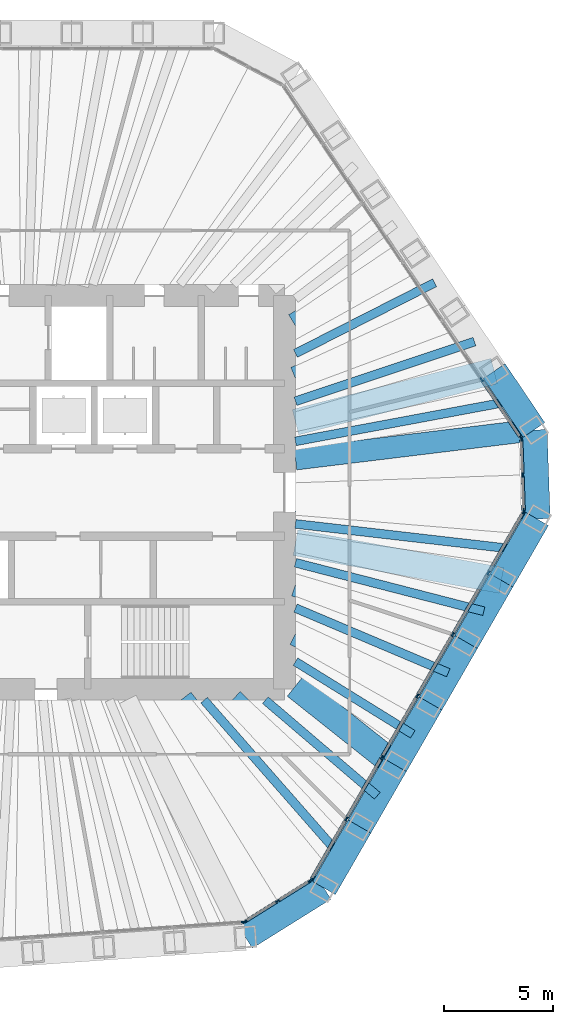
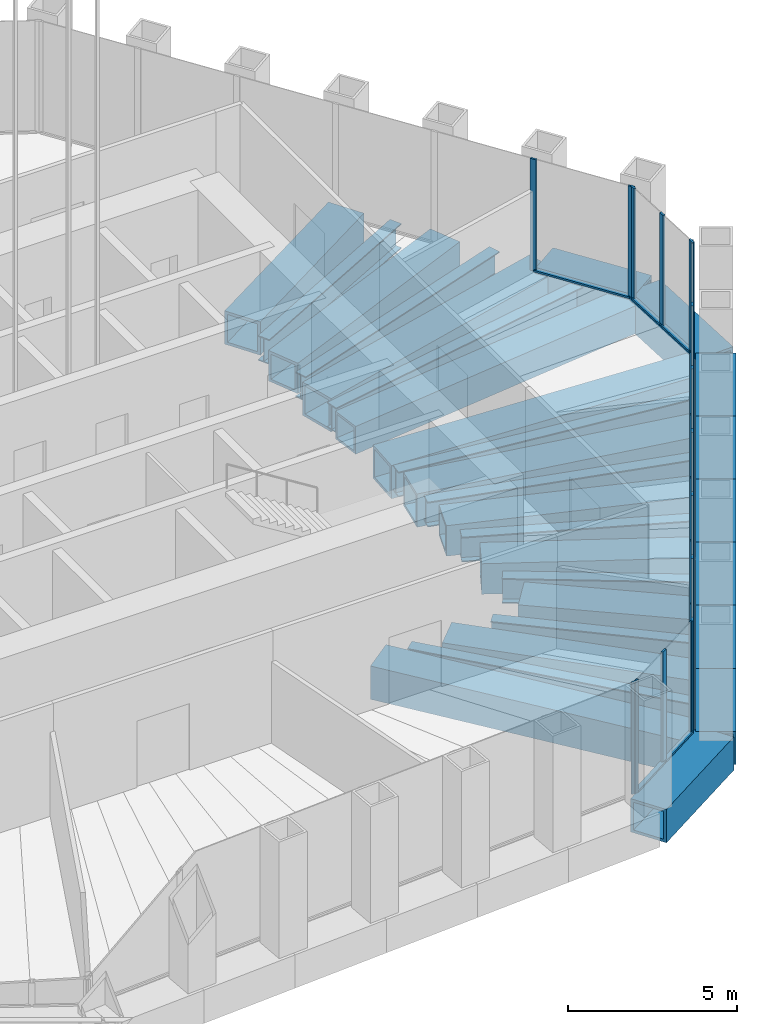
# One storey, part 5 of 19: 36 members, 20 beams, 5 elements without a shape of their own.
"""IFC4 building model written with IfcOpenShell, lengths in metres."""

from ifc_helpers import new_model, si_unit, direction, frame, origin, origin_2d, place, context, subcontext, project, spatial, rectangle, hollow_rectangle, i_section, extrude, material, material_profile, profile_set, type_object, element, aggregate, save


model = new_model("IFC4")

# Units and contexts
model_context = context("Model", 3, precision=1e-05, world=origin(), true_north=direction((0.0, 1.0)))
body_context = subcontext(model_context, "Body", "Model", "MODEL_VIEW")
ifc_project = project(units=[si_unit("LENGTHUNIT", "METRE"), si_unit("AREAUNIT", "SQUARE_METRE"), si_unit("VOLUMEUNIT", "CUBIC_METRE"), si_unit("PLANEANGLEUNIT", "RADIAN"), si_unit("MASSUNIT", "GRAM", prefix="KILO")], contexts=[model_context])

# Site, building, storey
site_placement = place(None, origin())
site = spatial("IfcSite", under=ifc_project, at=site_placement, CompositionType="ELEMENT")
building_placement = place(site_placement, origin())
building = spatial("IfcBuilding", under=site, at=building_placement, Name="Qingtian Harvest Tower", CompositionType="ELEMENT")
storey_placement = place(building_placement, frame((0.0, 0.0, 262.0)))
storey = spatial("IfcBuildingStorey", under=building, at=storey_placement, Name="L57", CompositionType="ELEMENT", Elevation=262.0)

# Members
ifc_material_1 = material(Name="Steel SM570MC", Category="steel")
ifc_material_profile_1 = material_profile(ifc_material_1, hollow_rectangle(XDim=1.199951171875, YDim=1.199951171875, WallThickness=0.10009765625, at=origin_2d()), Name="BOX1200x1200x100")
ifc_profile_set_1 = profile_set([ifc_material_profile_1], Name="Steel SM570MC")
member_type_1 = type_object("IfcMemberType", Name="Belt truss chord BC3 BOX1200x1200x100", PredefinedType="CHORD", material=ifc_profile_set_1)
member_1_placement = place(storey_placement, frame((21.58935546875, 5.546630859375, -0.60009765625), z_axis=(0.559184924833, -0.829042954158, 0.0), x_axis=(0.829042954158, 0.559184924833, 0.0)))
element("IfcMember", 1, at=member_1_placement, inside=storey, type_object=member_type_1, Name="Belt chord BC3 NE5", PredefinedType="CHORD", context=body_context, shape_type="SweptSolid", body=[
    extrude(hollow_rectangle(XDim=1.199951171875, YDim=1.199951171875, WallThickness=0.10009765625, at=origin_2d()), origin(), (0.0, 0.0, 1.0), 3.247802734375),
])
member_2_placement = place(storey_placement, frame((23.405517578125, 2.85400390625, -0.60009765625), z_axis=(0.034904306503, -0.999390659046, 0.0), x_axis=(0.999390659046, 0.034904306503, 0.0)))
element("IfcMember", 2, at=member_2_placement, inside=storey, type_object=member_type_1, Name="Belt chord BC3 NEC", PredefinedType="CHORD", context=body_context, shape_type="SweptSolid", body=[
    extrude(hollow_rectangle(XDim=1.199951171875, YDim=1.199951171875, WallThickness=0.10009765625, at=origin_2d()), origin(), (0.0, 0.0, 1.0), 4.07080078125),
])
member_3_placement = place(storey_placement, frame((23.547607421875, -1.21435546875, -0.60009765625), z_axis=(-0.500019593356, -0.866014091259, 0.0), x_axis=(0.866014091259, -0.500019593356, 0.0)))
element("IfcMember", 3, at=member_3_placement, inside=storey, type_object=member_type_1, Name="Belt chord BC3 SE0", PredefinedType="CHORD", context=body_context, shape_type="SweptSolid", body=[
    extrude(hollow_rectangle(XDim=1.199951171875, YDim=1.199951171875, WallThickness=0.10009765625, at=origin_2d()), origin(), (0.0, 0.0, 1.0), 3.247802734375),
])
member_4_placement = place(storey_placement, frame((21.923583984375, -4.027099609375, -0.60009765625), z_axis=(-0.499987045439, -0.866032882975, 0.0), x_axis=(0.866032882975, -0.499987045439, 0.0)))
element("IfcMember", 4, at=member_4_placement, inside=storey, type_object=member_type_1, Name="Belt chord BC3 SE1", PredefinedType="CHORD", context=body_context, shape_type="SweptSolid", body=[
    extrude(hollow_rectangle(XDim=1.199951171875, YDim=1.199951171875, WallThickness=0.10009765625, at=origin_2d()), origin(), (0.0, 0.0, 1.0), 3.248046875),
])
member_5_placement = place(storey_placement, frame((20.299560546875, -6.840087890625, -0.60009765625), z_axis=(-0.500019593356, -0.866014091259, 0.0), x_axis=(0.866014091259, -0.500019593356, 0.0)))
element("IfcMember", 5, at=member_5_placement, inside=storey, type_object=member_type_1, Name="Belt chord BC3 SE2", PredefinedType="CHORD", context=body_context, shape_type="SweptSolid", body=[
    extrude(hollow_rectangle(XDim=1.199951171875, YDim=1.199951171875, WallThickness=0.10009765625, at=origin_2d()), origin(), (0.0, 0.0, 1.0), 3.247802734375),
])
member_6_placement = place(storey_placement, frame((18.675537109375, -9.65283203125, -0.60009765625), z_axis=(-0.499987045439, -0.866032882975, 0.0), x_axis=(0.866032882975, -0.499987045439, 0.0)))
element("IfcMember", 6, at=member_6_placement, inside=storey, type_object=member_type_1, Name="Belt chord BC3 SE3", PredefinedType="CHORD", context=body_context, shape_type="SweptSolid", body=[
    extrude(hollow_rectangle(XDim=1.199951171875, YDim=1.199951171875, WallThickness=0.10009765625, at=origin_2d()), origin(), (0.0, 0.0, 1.0), 3.248046875),
])
member_7_placement = place(storey_placement, frame((17.051513671875, -12.4658203125, -0.60009765625), z_axis=(-0.500019593356, -0.866014091259, 0.0), x_axis=(0.866014091259, -0.500019593356, 0.0)))
element("IfcMember", 7, at=member_7_placement, inside=storey, type_object=member_type_1, Name="Belt chord BC3 SE4", PredefinedType="CHORD", context=body_context, shape_type="SweptSolid", body=[
    extrude(hollow_rectangle(XDim=1.199951171875, YDim=1.199951171875, WallThickness=0.10009765625, at=origin_2d()), origin(), (0.0, 0.0, 1.0), 3.247802734375),
])
member_8_placement = place(storey_placement, frame((15.427490234375, -15.278564453125, -0.60009765625), z_axis=(-0.499987045439, -0.866032882975, 0.0), x_axis=(0.866032882975, -0.499987045439, 0.0)))
element("IfcMember", 8, at=member_8_placement, inside=storey, type_object=member_type_1, Name="Belt chord BC3 SE5", PredefinedType="CHORD", context=body_context, shape_type="SweptSolid", body=[
    extrude(hollow_rectangle(XDim=1.199951171875, YDim=1.199951171875, WallThickness=0.10009765625, at=origin_2d()), origin(), (0.0, 0.0, 1.0), 3.248046875),
])
member_9_placement = place(storey_placement, frame((13.803466796875, -18.091552734375, -0.60009765625), z_axis=(-0.848040374245, -0.529931621675, 0.0), x_axis=(0.529931621675, -0.848040374245, 0.0)))
element("IfcMember", 9, at=member_9_placement, inside=storey, type_object=member_type_1, Name="Belt chord BC3 SEC", PredefinedType="CHORD", context=body_context, shape_type="SweptSolid", body=[
    extrude(hollow_rectangle(XDim=1.199951171875, YDim=1.199951171875, WallThickness=0.10009765625, at=origin_2d()), origin(), (0.0, 0.0, 1.0), 4.238037109375),
])

# Beams
ifc_material_2 = material(Name="Steel SN490B", Category="steel")
ifc_material_profile_2 = material_profile(ifc_material_2, i_section(OverallWidth=0.39990234375, OverallDepth=0.89990234375, WebThickness=0.01904296875, FlangeThickness=0.035888671875, at=origin_2d()), Name="H900x400x19x36")
ifc_profile_set_2 = profile_set([ifc_material_profile_2], Name="Steel SN490B")
beam_type_1 = type_object("IfcBeamType", Name="Floor joist J4 H900x400x19x36", PredefinedType="JOIST", material=ifc_profile_set_2)
beam_1_placement = place(storey_placement, frame((18.864990234375, 9.585693359375, -0.6201171875), z_axis=(-0.891515522375, -0.452990147094, 0.0), x_axis=(0.452990147094, -0.891515522375, 0.0)))
element("IfcBeam", 10, at=beam_1_placement, inside=storey, type_object=beam_type_1, Name="Floor joist J4 NE3", PredefinedType="JOIST", context=body_context, shape_type="SweptSolid", body=[
    extrude(i_section(OverallWidth=0.39990234375, OverallDepth=0.89990234375, WebThickness=0.01904296875, FlangeThickness=0.035888671875, at=origin_2d()), origin(), (0.0, 0.0, 1.0), 7.139404296875),
])
beam_2_placement = place(storey_placement, frame((20.68115234375, 6.89306640625, -0.6201171875), z_axis=(-0.94869179092, -0.316202286267, 0.0), x_axis=(0.316202286267, -0.94869179092, 0.0)))
element("IfcBeam", 11, at=beam_2_placement, inside=storey, type_object=beam_type_1, Name="Floor joist J4 NE4", PredefinedType="JOIST", context=body_context, shape_type="SweptSolid", body=[
    extrude(i_section(OverallWidth=0.39990234375, OverallDepth=0.89990234375, WebThickness=0.01904296875, FlangeThickness=0.035888671875, at=origin_2d()), origin(), (0.0, 0.0, 1.0), 8.62353515625),
])
beam_3_placement = place(storey_placement, frame((22.49755859375, 4.2001953125, -0.6201171875), z_axis=(-0.983015918388, -0.183520310038, 0.0), x_axis=(0.183520310038, -0.983015918388, 0.0)))
element("IfcBeam", 12, at=beam_3_placement, inside=storey, type_object=beam_type_1, Name="Floor joist J4 NE5", PredefinedType="JOIST", context=body_context, shape_type="SweptSolid", body=[
    extrude(i_section(OverallWidth=0.39990234375, OverallDepth=0.89990234375, WebThickness=0.01904296875, FlangeThickness=0.035888671875, at=origin_2d()), origin(), (0.0, 0.0, 1.0), 10.17041015625),
])
beam_4_placement = place(storey_placement, frame((22.735595703125, -2.62060546875, -0.6201171875), z_axis=(-0.993423767351, 0.114495495381, 0.0), x_axis=(-0.114495495381, -0.993423767351, 0.0)))
element("IfcBeam", 13, at=beam_4_placement, inside=storey, type_object=beam_type_1, Name="Floor joist J4 SE0", PredefinedType="JOIST", context=body_context, shape_type="SweptSolid", body=[
    extrude(i_section(OverallWidth=0.39990234375, OverallDepth=0.89990234375, WebThickness=0.01904296875, FlangeThickness=0.035888671875, at=origin_2d()), origin(), (0.0, 0.0, 1.0), 10.303466796875),
])
beam_5_placement = place(storey_placement, frame((21.111572265625, -5.43359375, -0.6201171875), z_axis=(-0.968434631662, 0.249267655738, 0.0), x_axis=(-0.249267655738, -0.968434631662, 0.0)))
element("IfcBeam", 14, at=beam_5_placement, inside=storey, type_object=beam_type_1, Name="Floor joist J4 SE1", PredefinedType="JOIST", context=body_context, shape_type="SweptSolid", body=[
    extrude(i_section(OverallWidth=0.39990234375, OverallDepth=0.89990234375, WebThickness=0.01904296875, FlangeThickness=0.035888671875, at=origin_2d()), origin(), (0.0, 0.0, 1.0), 8.892333984375),
])
beam_6_placement = place(storey_placement, frame((19.487548828125, -8.246337890625, -0.6201171875), z_axis=(-0.920942823677, 0.389697723265, 0.0), x_axis=(-0.389697723265, -0.920942823677, 0.0)))
element("IfcBeam", 15, at=beam_6_placement, inside=storey, type_object=beam_type_1, Name="Floor joist J4 SE2", PredefinedType="JOIST", context=body_context, shape_type="SweptSolid", body=[
    extrude(i_section(OverallWidth=0.39990234375, OverallDepth=0.89990234375, WebThickness=0.01904296875, FlangeThickness=0.035888671875, at=origin_2d()), origin(), (0.0, 0.0, 1.0), 7.58740234375),
])
beam_7_placement = place(storey_placement, frame((17.863525390625, -11.059326171875, -0.6201171875), z_axis=(-0.850245350939, 0.52638659102, 0.0), x_axis=(-0.52638659102, -0.850245350939, 0.0)))
element("IfcBeam", 16, at=beam_7_placement, inside=storey, type_object=beam_type_1, Name="Floor joist J4 SE3", PredefinedType="JOIST", context=body_context, shape_type="SweptSolid", body=[
    extrude(i_section(OverallWidth=0.39990234375, OverallDepth=0.89990234375, WebThickness=0.01904296875, FlangeThickness=0.035888671875, at=origin_2d()), origin(), (0.0, 0.0, 1.0), 6.30810546875),
])
beam_8_placement = place(storey_placement, frame((16.239501953125, -13.8720703125, -0.6201171875), z_axis=(-0.760351288112, 0.649512061987, 0.0), x_axis=(-0.649512061987, -0.760351288112, 0.0)))
element("IfcBeam", 17, at=beam_8_placement, inside=storey, type_object=beam_type_1, Name="Floor joist J4 SE4", PredefinedType="JOIST", context=body_context, shape_type="SweptSolid", body=[
    extrude(i_section(OverallWidth=0.39990234375, OverallDepth=0.89990234375, WebThickness=0.01904296875, FlangeThickness=0.035888671875, at=origin_2d()), origin(), (0.0, 0.0, 1.0), 6.731201171875),
])
beam_9_placement = place(storey_placement, frame((14.615478515625, -16.68505859375, -0.6201171875), z_axis=(-0.658906232771, 0.752225083612, 0.0), x_axis=(-0.752225083612, -0.658906232771, 0.0)))
element("IfcBeam", 18, at=beam_9_placement, inside=storey, type_object=beam_type_1, Name="Floor joist J4 SE5", PredefinedType="JOIST", context=body_context, shape_type="SweptSolid", body=[
    extrude(i_section(OverallWidth=0.39990234375, OverallDepth=0.89990234375, WebThickness=0.01904296875, FlangeThickness=0.035888671875, at=origin_2d()), origin(), (0.0, 0.0, 1.0), 9.5517578125),
])

# Curtain wall, members
ifc_material_3 = material(Name="Bronze-anodised aluminium curtain wall", Category="aluminium")
curtain_wall_type = type_object("IfcCurtainWallType", Name="Curtain wall CW3 sky lobby", PredefinedType="USERDEFINED", material=ifc_material_3)
curtain_wall_1_placement = place(storey_placement, origin())
curtain_wall_1 = element("IfcCurtainWall", 19, at=curtain_wall_1_placement, inside=storey, type_object=curtain_wall_type, Name="Curtain wall CW3 L57 NE0-5", ObjectType="RECESSED CURTAIN WALL", PredefinedType="USERDEFINED")
ifc_material_4 = material(Name="Bronze-anodised aluminium mullion", Category="aluminium")
ifc_material_profile_3 = material_profile(ifc_material_4, rectangle(XDim=0.06494140625, YDim=0.199951171875, at=origin_2d()), Name="AL 65x200")
ifc_profile_set_3 = profile_set([ifc_material_profile_3], Name="Bronze-anodised aluminium mullion")
member_type_2 = type_object("IfcMemberType", Name="Mullion CWM 65x200", PredefinedType="MULLION", material=ifc_profile_set_3)
member_10_placement = place(storey_placement, frame((21.009033203125, 5.1552734375, 0.0), z_axis=(0.0, 0.0, 1.0), x_axis=(0.829037572555, 0.559192903471, 0.0)))
member_10 = element("IfcMember", 20, at=member_10_placement, type_object=member_type_2, Name="CW3 mullion 6", PredefinedType="MULLION", context=body_context, shape_type="SweptSolid", body=[
    extrude(rectangle(XDim=0.06494140625, YDim=0.199951171875, at=origin_2d()), origin(), (0.0, 0.0, 1.0), 4.030029296875),
])
member_11_placement = place(storey_placement, frame((22.80712890625, 2.489501953125, 0.0), z_axis=(0.0, 0.0, 1.0), x_axis=(0.829037572555, 0.559192903471, 0.0)))
member_11 = element("IfcMember", 21, at=member_11_placement, type_object=member_type_2, Name="CW3 mullion 7", PredefinedType="MULLION", context=body_context, shape_type="SweptSolid", body=[
    extrude(rectangle(XDim=0.06494140625, YDim=0.199951171875, at=origin_2d()), origin(), (0.0, 0.0, 1.0), 4.030029296875),
])

curtain_wall_2_placement = place(storey_placement, origin())
curtain_wall_2 = element("IfcCurtainWall", 22, at=curtain_wall_2_placement, inside=storey, type_object=curtain_wall_type, Name="Curtain wall CW3 L57 NEC", ObjectType="RECESSED CURTAIN WALL", PredefinedType="USERDEFINED")
member_12_placement = place(storey_placement, frame((22.826416015625, 2.429931640625, 0.0), z_axis=(0.0, 0.0, 1.0), x_axis=(0.999390827019, 0.034899496703, 0.0)))
member_12 = element("IfcMember", 23, at=member_12_placement, type_object=member_type_2, Name="CW3 mullion 1", PredefinedType="MULLION", context=body_context, shape_type="SweptSolid", body=[
    extrude(rectangle(XDim=0.06494140625, YDim=0.199951171875, at=origin_2d()), origin(), (0.0, 0.0, 1.0), 4.030029296875),
])
member_13_placement = place(storey_placement, frame((22.88330078125, 0.799072265625, 0.0), z_axis=(0.0, 0.0, 1.0), x_axis=(0.999390827019, 0.034899496703, 0.0)))
member_13 = element("IfcMember", 24, at=member_13_placement, type_object=member_type_2, Name="CW3 mullion 2", PredefinedType="MULLION", context=body_context, shape_type="SweptSolid", body=[
    extrude(rectangle(XDim=0.06494140625, YDim=0.199951171875, at=origin_2d()), origin(), (0.0, 0.0, 1.0), 4.030029296875),
])
member_14_placement = place(storey_placement, frame((22.9404296875, -0.831787109375, 0.0), z_axis=(0.0, 0.0, 1.0), x_axis=(0.999390827019, 0.034899496703, 0.0)))
member_14 = element("IfcMember", 25, at=member_14_placement, type_object=member_type_2, Name="CW3 mullion 3", PredefinedType="MULLION", context=body_context, shape_type="SweptSolid", body=[
    extrude(rectangle(XDim=0.06494140625, YDim=0.199951171875, at=origin_2d()), origin(), (0.0, 0.0, 1.0), 4.030029296875),
])

curtain_wall_3_placement = place(storey_placement, origin())
curtain_wall_3 = element("IfcCurtainWall", 26, at=curtain_wall_3_placement, inside=storey, type_object=curtain_wall_type, Name="Curtain wall CW3 L57 SE0-5", ObjectType="RECESSED CURTAIN WALL", PredefinedType="USERDEFINED")
member_15_placement = place(storey_placement, frame((22.92529296875, -0.892333984375, 0.0), z_axis=(0.0, 0.0, 1.0), x_axis=(0.866025403784, -0.5, 0.0)))
member_15 = element("IfcMember", 27, at=member_15_placement, type_object=member_type_2, Name="CW3 mullion 1", PredefinedType="MULLION", context=body_context, shape_type="SweptSolid", body=[
    extrude(rectangle(XDim=0.06494140625, YDim=0.199951171875, at=origin_2d()), origin(), (0.0, 0.0, 1.0), 4.030029296875),
])
member_16_placement = place(storey_placement, frame((21.3173828125, -3.67724609375, 0.0), z_axis=(0.0, 0.0, 1.0), x_axis=(0.866025403784, -0.5, 0.0)))
member_16 = element("IfcMember", 28, at=member_16_placement, type_object=member_type_2, Name="CW3 mullion 2", PredefinedType="MULLION", context=body_context, shape_type="SweptSolid", body=[
    extrude(rectangle(XDim=0.06494140625, YDim=0.199951171875, at=origin_2d()), origin(), (0.0, 0.0, 1.0), 4.030029296875),
])
member_17_placement = place(storey_placement, frame((19.693359375, -6.489990234375, 0.0), z_axis=(0.0, 0.0, 1.0), x_axis=(0.866025403784, -0.5, 0.0)))
member_17 = element("IfcMember", 29, at=member_17_placement, type_object=member_type_2, Name="CW3 mullion 3", PredefinedType="MULLION", context=body_context, shape_type="SweptSolid", body=[
    extrude(rectangle(XDim=0.06494140625, YDim=0.199951171875, at=origin_2d()), origin(), (0.0, 0.0, 1.0), 4.030029296875),
])
member_18_placement = place(storey_placement, frame((18.0693359375, -9.302978515625, 0.0), z_axis=(0.0, 0.0, 1.0), x_axis=(0.866025403784, -0.5, 0.0)))
member_18 = element("IfcMember", 30, at=member_18_placement, type_object=member_type_2, Name="CW3 mullion 4", PredefinedType="MULLION", context=body_context, shape_type="SweptSolid", body=[
    extrude(rectangle(XDim=0.06494140625, YDim=0.199951171875, at=origin_2d()), origin(), (0.0, 0.0, 1.0), 4.030029296875),
])
member_19_placement = place(storey_placement, frame((16.4453125, -12.11572265625, 0.0), z_axis=(0.0, 0.0, 1.0), x_axis=(0.866025403784, -0.5, 0.0)))
member_19 = element("IfcMember", 31, at=member_19_placement, type_object=member_type_2, Name="CW3 mullion 5", PredefinedType="MULLION", context=body_context, shape_type="SweptSolid", body=[
    extrude(rectangle(XDim=0.06494140625, YDim=0.199951171875, at=origin_2d()), origin(), (0.0, 0.0, 1.0), 4.030029296875),
])
member_20_placement = place(storey_placement, frame((14.8212890625, -14.9287109375, 0.0), z_axis=(0.0, 0.0, 1.0), x_axis=(0.866025403784, -0.5, 0.0)))
member_20 = element("IfcMember", 32, at=member_20_placement, type_object=member_type_2, Name="CW3 mullion 6", PredefinedType="MULLION", context=body_context, shape_type="SweptSolid", body=[
    extrude(rectangle(XDim=0.06494140625, YDim=0.199951171875, at=origin_2d()), origin(), (0.0, 0.0, 1.0), 4.030029296875),
])
member_21_placement = place(storey_placement, frame((13.213623046875, -17.71337890625, 0.0), z_axis=(0.0, 0.0, 1.0), x_axis=(0.866025403784, -0.5, 0.0)))
member_21 = element("IfcMember", 33, at=member_21_placement, type_object=member_type_2, Name="CW3 mullion 7", PredefinedType="MULLION", context=body_context, shape_type="SweptSolid", body=[
    extrude(rectangle(XDim=0.06494140625, YDim=0.199951171875, at=origin_2d()), origin(), (0.0, 0.0, 1.0), 4.030029296875),
])

curtain_wall_4_placement = place(storey_placement, origin())
curtain_wall_4 = element("IfcCurtainWall", 34, at=curtain_wall_4_placement, inside=storey, type_object=curtain_wall_type, Name="Curtain wall CW3 L57 SEC", ObjectType="RECESSED CURTAIN WALL", PredefinedType="USERDEFINED")
member_22_placement = place(storey_placement, frame((13.169921875, -17.7587890625, 0.0), z_axis=(0.0, 0.0, 1.0), x_axis=(0.529919264233, -0.848048096156, 0.0)))
member_22 = element("IfcMember", 35, at=member_22_placement, type_object=member_type_2, Name="CW3 mullion 1", PredefinedType="MULLION", context=body_context, shape_type="SweptSolid", body=[
    extrude(rectangle(XDim=0.06494140625, YDim=0.199951171875, at=origin_2d()), origin(), (0.0, 0.0, 1.0), 4.030029296875),
])
member_23_placement = place(storey_placement, frame((11.678955078125, -18.690185546875, 0.0), z_axis=(0.0, 0.0, 1.0), x_axis=(0.529919264233, -0.848048096156, 0.0)))
member_23 = element("IfcMember", 36, at=member_23_placement, type_object=member_type_2, Name="CW3 mullion 2", PredefinedType="MULLION", context=body_context, shape_type="SweptSolid", body=[
    extrude(rectangle(XDim=0.06494140625, YDim=0.199951171875, at=origin_2d()), origin(), (0.0, 0.0, 1.0), 4.030029296875),
])
member_24_placement = place(storey_placement, frame((10.188232421875, -19.621826171875, 0.0), z_axis=(0.0, 0.0, 1.0), x_axis=(0.529919264233, -0.848048096156, 0.0)))
member_24 = element("IfcMember", 37, at=member_24_placement, type_object=member_type_2, Name="CW3 mullion 3", PredefinedType="MULLION", context=body_context, shape_type="SweptSolid", body=[
    extrude(rectangle(XDim=0.06494140625, YDim=0.199951171875, at=origin_2d()), origin(), (0.0, 0.0, 1.0), 4.030029296875),
])

# Curtain wall, member
curtain_wall_5_placement = place(storey_placement, origin())
curtain_wall_5 = element("IfcCurtainWall", 38, at=curtain_wall_5_placement, inside=storey, type_object=curtain_wall_type, Name="Curtain wall CW3 L57 S0-5", ObjectType="RECESSED CURTAIN WALL", PredefinedType="USERDEFINED")
member_25_placement = place(storey_placement, frame((10.128173828125, -19.641357421875, 0.0), z_axis=(0.0, 0.0, 1.0), x_axis=(0.069756473744, -0.99756405026, 0.0)))
member_25 = element("IfcMember", 39, at=member_25_placement, type_object=member_type_2, Name="CW3 mullion 1", PredefinedType="MULLION", context=body_context, shape_type="SweptSolid", body=[
    extrude(rectangle(XDim=0.06494140625, YDim=0.199951171875, at=origin_2d()), origin(), (0.0, 0.0, 1.0), 4.030029296875),
])
aggregate(curtain_wall_5, [member_25])

# Beams
ifc_material_5 = material(Name="Steel SM570MC", Category="steel")
ifc_material_profile_4 = material_profile(ifc_material_5, hollow_rectangle(XDim=1.199951171875, YDim=1.199951171875, WallThickness=0.10009765625, at=origin_2d()), Name="BOX1200x1200x100")
ifc_profile_set_4 = profile_set([ifc_material_profile_4], Name="Steel SM570MC")
beam_type_2 = type_object("IfcBeamType", Name="Outrigger chord beam OC2 BOX1200x1200x100", PredefinedType="BEAM", material=ifc_profile_set_4)
beam_10_placement = place(storey_placement, frame((17.956787109375, 10.93212890625, -0.77001953125), z_axis=(-0.854163869478, -0.520003926983, 0.0), x_axis=(0.520003926983, -0.854163869478, 0.0)))
element("IfcBeam", 40, at=beam_10_placement, inside=storey, type_object=beam_type_2, Name="Floor beam OC2 NE3", PredefinedType="BEAM", context=body_context, shape_type="SweptSolid", body=[
    extrude(hollow_rectangle(XDim=1.199951171875, YDim=1.199951171875, WallThickness=0.10009765625, at=origin_2d()), origin(), (0.0, 0.0, 1.0), 6.388427734375),
])
beam_11_placement = place(storey_placement, frame((21.58935546875, 5.546630859375, -0.77001953125), z_axis=(-0.968545797703, -0.248835362746, 0.0), x_axis=(0.248835362746, -0.968545797703, 0.0)))
element("IfcBeam", 41, at=beam_11_placement, inside=storey, type_object=beam_type_2, Name="Floor beam OC2 NE5", PredefinedType="BEAM", context=body_context, shape_type="SweptSolid", body=[
    extrude(hollow_rectangle(XDim=1.199951171875, YDim=1.199951171875, WallThickness=0.10009765625, at=origin_2d()), origin(), (0.0, 0.0, 1.0), 9.384521484375),
])
beam_12_placement = place(storey_placement, frame((23.547607421875, -1.21435546875, -0.77001953125), z_axis=(-0.998672453152, 0.051510497131, 0.0), x_axis=(-0.051510497131, -0.998672453152, 0.0)))
element("IfcBeam", 42, at=beam_12_placement, inside=storey, type_object=beam_type_2, Name="Floor beam OC2 SE0", PredefinedType="BEAM", context=body_context, shape_type="SweptSolid", body=[
    extrude(hollow_rectangle(XDim=1.199951171875, YDim=1.199951171875, WallThickness=0.10009765625, at=origin_2d()), origin(), (0.0, 0.0, 1.0), 11.062255859375),
])
beam_13_placement = place(storey_placement, frame((21.923583984375, -4.027099609375, -0.77001953125), z_axis=(-0.983545410638, 0.180661078303, 0.0), x_axis=(-0.180661078303, -0.983545410638, 0.0)))
element("IfcBeam", 43, at=beam_13_placement, inside=storey, type_object=beam_type_2, Name="Floor beam OC2 SE1", PredefinedType="BEAM", context=body_context, shape_type="SweptSolid", body=[
    extrude(hollow_rectangle(XDim=1.199951171875, YDim=1.199951171875, WallThickness=0.10009765625, at=origin_2d()), origin(), (0.0, 0.0, 1.0), 9.581298828125),
])
beam_14_placement = place(storey_placement, frame((17.051513671875, -12.4658203125, -0.77001953125), z_axis=(-0.783003151269, 0.622017736968, 0.0), x_axis=(-0.622017736968, -0.783003151269, 0.0)))
element("IfcBeam", 44, at=beam_14_placement, inside=storey, type_object=beam_type_2, Name="Floor beam OC2 SE4", PredefinedType="BEAM", context=body_context, shape_type="SweptSolid", body=[
    extrude(hollow_rectangle(XDim=1.199951171875, YDim=1.199951171875, WallThickness=0.10009765625, at=origin_2d()), origin(), (0.0, 0.0, 1.0), 5.81298828125),
])
beam_15_placement = place(storey_placement, frame((13.803466796875, -18.091552734375, -0.77001953125), z_axis=(-0.60658352266, 0.795019767073, 0.0), x_axis=(-0.795019767073, -0.60658352266, 0.0)))
element("IfcBeam", 45, at=beam_15_placement, inside=storey, type_object=beam_type_2, Name="Floor beam OC2 SE6", PredefinedType="BEAM", context=body_context, shape_type="SweptSolid", body=[
    extrude(hollow_rectangle(XDim=1.199951171875, YDim=1.199951171875, WallThickness=0.10009765625, at=origin_2d()), origin(), (0.0, 0.0, 1.0), 10.806640625),
])
ifc_material_6 = material(Name="Steel SM570MC", Category="steel")
ifc_material_profile_5 = material_profile(ifc_material_6, hollow_rectangle(XDim=1.0, YDim=1.0, WallThickness=0.080078125, at=origin_2d()), Name="BOX1000x1000x80")
ifc_profile_set_5 = profile_set([ifc_material_profile_5], Name="Steel SM570MC")
beam_type_3 = type_object("IfcBeamType", Name="Transfer corner beam FB11 BOX1000x1000x80", PredefinedType="BEAM", material=ifc_profile_set_5)
beam_16_placement = place(storey_placement, frame((23.405517578125, 2.85400390625, -0.669921875), z_axis=(-0.99264704984, -0.12104476215, 0.0), x_axis=(0.12104476215, -0.99264704984, 0.0)))
element("IfcBeam", 46, at=beam_16_placement, inside=storey, type_object=beam_type_3, Name="Floor beam FB11 NE6", PredefinedType="BEAM", context=body_context, shape_type="SweptSolid", body=[
    extrude(hollow_rectangle(XDim=1.0, YDim=1.0, WallThickness=0.080078125, at=origin_2d()), origin(), (0.0, 0.0, 1.0), 10.986328125),
])
ifc_material_7 = material(Name="Steel SM570MC", Category="steel")
ifc_material_profile_6 = material_profile(ifc_material_7, hollow_rectangle(XDim=1.10009765625, YDim=1.10009765625, WallThickness=0.10009765625, at=origin_2d()), Name="BOX1100x1100x100")
ifc_profile_set_6 = profile_set([ifc_material_profile_6], Name="Steel SM570MC")
beam_type_4 = type_object("IfcBeamType", Name="Transfer floor beam FB9 BOX1100x1100x100", PredefinedType="BEAM", material=ifc_profile_set_6)
beam_17_placement = place(storey_placement, frame((19.77294921875, 8.2392578125, -0.719970703125), z_axis=(-0.923071422518, -0.38462858569, 0.0), x_axis=(0.38462858569, -0.923071422518, 0.0)))
element("IfcBeam", 47, at=beam_17_placement, inside=storey, type_object=beam_type_4, Name="Floor beam FB9 NE4", PredefinedType="BEAM", context=body_context, shape_type="SweptSolid", body=[
    extrude(hollow_rectangle(XDim=1.10009765625, YDim=1.10009765625, WallThickness=0.10009765625, at=origin_2d()), origin(), (0.0, 0.0, 1.0), 7.879150390625),
])
beam_18_placement = place(storey_placement, frame((20.299560546875, -6.840087890625, -0.719970703125), z_axis=(-0.947645968799, 0.319322905253, 0.0), x_axis=(-0.319322905253, -0.947645968799, 0.0)))
element("IfcBeam", 48, at=beam_18_placement, inside=storey, type_object=beam_type_4, Name="Floor beam FB9 SE2", PredefinedType="BEAM", context=body_context, shape_type="SweptSolid", body=[
    extrude(hollow_rectangle(XDim=1.10009765625, YDim=1.10009765625, WallThickness=0.10009765625, at=origin_2d()), origin(), (0.0, 0.0, 1.0), 8.23046875),
])
beam_19_placement = place(storey_placement, frame((18.675537109375, -9.65283203125, -0.719970703125), z_axis=(-0.888355479692, 0.459156336884, 0.0), x_axis=(-0.459156336884, -0.888355479692, 0.0)))
element("IfcBeam", 49, at=beam_19_placement, inside=storey, type_object=beam_type_4, Name="Floor beam FB9 SE3", PredefinedType="BEAM", context=body_context, shape_type="SweptSolid", body=[
    extrude(hollow_rectangle(XDim=1.10009765625, YDim=1.10009765625, WallThickness=0.10009765625, at=origin_2d()), origin(), (0.0, 0.0, 1.0), 6.95166015625),
])
beam_20_placement = place(storey_placement, frame((15.427490234375, -15.278564453125, -0.719970703125), z_axis=(-0.710532187344, 0.703664700513, 0.0), x_axis=(-0.703664700513, -0.710532187344, 0.0)))
element("IfcBeam", 50, at=beam_20_placement, inside=storey, type_object=beam_type_4, Name="Floor beam FB9 SE5", PredefinedType="BEAM", context=body_context, shape_type="SweptSolid", body=[
    extrude(hollow_rectangle(XDim=1.10009765625, YDim=1.10009765625, WallThickness=0.10009765625, at=origin_2d()), origin(), (0.0, 0.0, 1.0), 8.212158203125),
])

# Member
ifc_material_8 = material(Name="Bronze-anodised aluminium transom", Category="aluminium")
ifc_material_profile_7 = material_profile(ifc_material_8, rectangle(XDim=0.14990234375, YDim=0.06494140625, at=origin_2d()), Name="AL 65x150")
ifc_profile_set_7 = profile_set([ifc_material_profile_7], Name="Bronze-anodised aluminium transom")
member_type_3 = type_object("IfcMemberType", Name="Transom CWT 65x150", PredefinedType="USERDEFINED", material=ifc_profile_set_7)
member_26_placement = place(storey_placement, frame((21.027099609375, 5.128173828125, 0.032470703125), z_axis=(0.559198649732, -0.829033696624, 0.0), x_axis=(0.829033696624, 0.559198649732, 0.0)))
member_26 = element("IfcMember", 51, at=member_26_placement, type_object=member_type_3, Name="CW3 transom 6.1", ObjectType="TRANSOM", PredefinedType="USERDEFINED", context=body_context, shape_type="SweptSolid", body=[
    extrude(rectangle(XDim=0.14990234375, YDim=0.06494140625, at=origin_2d()), origin(), (0.0, 0.0, 1.0), 3.150390625),
])

aggregate(curtain_wall_1, [member_10, member_11, member_26])

member_27_placement = place(storey_placement, frame((22.82763671875, 2.3974609375, 0.032470703125), z_axis=(0.034902326647, -0.999390728191, 0.0), x_axis=(0.999390728191, 0.034902326647, 0.0)))
member_27 = element("IfcMember", 52, at=member_27_placement, type_object=member_type_3, Name="CW3 transom 1.1", ObjectType="TRANSOM", PredefinedType="USERDEFINED", context=body_context, shape_type="SweptSolid", body=[
    extrude(rectangle(XDim=0.14990234375, YDim=0.06494140625, at=origin_2d()), origin(), (0.0, 0.0, 1.0), 1.56689453125),
])

member_28_placement = place(storey_placement, frame((22.884521484375, 0.7666015625, 0.032470703125), z_axis=(0.034902326647, -0.999390728191, 0.0), x_axis=(0.999390728191, 0.034902326647, 0.0)))
member_28 = element("IfcMember", 53, at=member_28_placement, type_object=member_type_3, Name="CW3 transom 2.1", ObjectType="TRANSOM", PredefinedType="USERDEFINED", context=body_context, shape_type="SweptSolid", body=[
    extrude(rectangle(XDim=0.14990234375, YDim=0.06494140625, at=origin_2d()), origin(), (0.0, 0.0, 1.0), 1.56689453125),
])

aggregate(curtain_wall_2, [member_12, member_13, member_14, member_27, member_28])

member_29_placement = place(storey_placement, frame((22.908935546875, -0.920654296875, 0.032470703125), z_axis=(-0.50000643655, -0.866021687608, 0.0), x_axis=(0.866021687608, -0.50000643655, 0.0)))
member_29 = element("IfcMember", 54, at=member_29_placement, type_object=member_type_3, Name="CW3 transom 1.1", ObjectType="TRANSOM", PredefinedType="USERDEFINED", context=body_context, shape_type="SweptSolid", body=[
    extrude(rectangle(XDim=0.14990234375, YDim=0.06494140625, at=origin_2d()), origin(), (0.0, 0.0, 1.0), 3.150390625),
])

member_30_placement = place(storey_placement, frame((21.30126953125, -3.705322265625, 0.032470703125), z_axis=(-0.5000079448, -0.866020816803, 0.0), x_axis=(0.866020816803, -0.5000079448, 0.0)))
member_30 = element("IfcMember", 55, at=member_30_placement, type_object=member_type_3, Name="CW3 transom 2.1", ObjectType="TRANSOM", PredefinedType="USERDEFINED", context=body_context, shape_type="SweptSolid", body=[
    extrude(rectangle(XDim=0.14990234375, YDim=0.06494140625, at=origin_2d()), origin(), (0.0, 0.0, 1.0), 3.18310546875),
])

member_31_placement = place(storey_placement, frame((19.67724609375, -6.51806640625, 0.032470703125), z_axis=(-0.5000079448, -0.866020816803, 0.0), x_axis=(0.866020816803, -0.5000079448, 0.0)))
member_31 = element("IfcMember", 56, at=member_31_placement, type_object=member_type_3, Name="CW3 transom 3.1", ObjectType="TRANSOM", PredefinedType="USERDEFINED", context=body_context, shape_type="SweptSolid", body=[
    extrude(rectangle(XDim=0.14990234375, YDim=0.06494140625, at=origin_2d()), origin(), (0.0, 0.0, 1.0), 3.18310546875),
])

member_32_placement = place(storey_placement, frame((18.05322265625, -9.3310546875, 0.032470703125), z_axis=(-0.5000079448, -0.866020816803, 0.0), x_axis=(0.866020816803, -0.5000079448, 0.0)))
member_32 = element("IfcMember", 57, at=member_32_placement, type_object=member_type_3, Name="CW3 transom 4.1", ObjectType="TRANSOM", PredefinedType="USERDEFINED", context=body_context, shape_type="SweptSolid", body=[
    extrude(rectangle(XDim=0.14990234375, YDim=0.06494140625, at=origin_2d()), origin(), (0.0, 0.0, 1.0), 3.18310546875),
])

member_33_placement = place(storey_placement, frame((16.42919921875, -12.143798828125, 0.032470703125), z_axis=(-0.5000079448, -0.866020816803, 0.0), x_axis=(0.866020816803, -0.5000079448, 0.0)))
member_33 = element("IfcMember", 58, at=member_33_placement, type_object=member_type_3, Name="CW3 transom 5.1", ObjectType="TRANSOM", PredefinedType="USERDEFINED", context=body_context, shape_type="SweptSolid", body=[
    extrude(rectangle(XDim=0.14990234375, YDim=0.06494140625, at=origin_2d()), origin(), (0.0, 0.0, 1.0), 3.18310546875),
])

member_34_placement = place(storey_placement, frame((14.80517578125, -14.956787109375, 0.032470703125), z_axis=(-0.499972881236, -0.866041060244, 0.0), x_axis=(0.866041060244, -0.499972881236, 0.0)))
member_34 = element("IfcMember", 59, at=member_34_placement, type_object=member_type_3, Name="CW3 transom 6.1", ObjectType="TRANSOM", PredefinedType="USERDEFINED", context=body_context, shape_type="SweptSolid", body=[
    extrude(rectangle(XDim=0.14990234375, YDim=0.06494140625, at=origin_2d()), origin(), (0.0, 0.0, 1.0), 3.150634765625),
])

aggregate(curtain_wall_3, [member_15, member_16, member_17, member_18, member_19, member_20, member_21, member_29, member_30, member_31, member_32, member_33, member_34])

member_35_placement = place(storey_placement, frame((13.142333984375, -17.77587890625, 0.032470703125), z_axis=(-0.84803880708, -0.529934129573, 0.0), x_axis=(0.529934129573, -0.84803880708, 0.0)))
member_35 = element("IfcMember", 60, at=member_35_placement, type_object=member_type_3, Name="CW3 transom 1.1", ObjectType="TRANSOM", PredefinedType="USERDEFINED", context=body_context, shape_type="SweptSolid", body=[
    extrude(rectangle(XDim=0.14990234375, YDim=0.06494140625, at=origin_2d()), origin(), (0.0, 0.0, 1.0), 1.693115234375),
])

member_36_placement = place(storey_placement, frame((11.6513671875, -18.70751953125, 0.032470703125), z_axis=(-0.847998304005, -0.529998940003, 0.0), x_axis=(0.529998940003, -0.847998304005, 0.0)))
member_36 = element("IfcMember", 61, at=member_36_placement, type_object=member_type_3, Name="CW3 transom 2.1", ObjectType="TRANSOM", PredefinedType="USERDEFINED", context=body_context, shape_type="SweptSolid", body=[
    extrude(rectangle(XDim=0.14990234375, YDim=0.06494140625, at=origin_2d()), origin(), (0.0, 0.0, 1.0), 1.69287109375),
])

aggregate(curtain_wall_4, [member_22, member_23, member_24, member_35, member_36])

save(model, "model.ifc")
